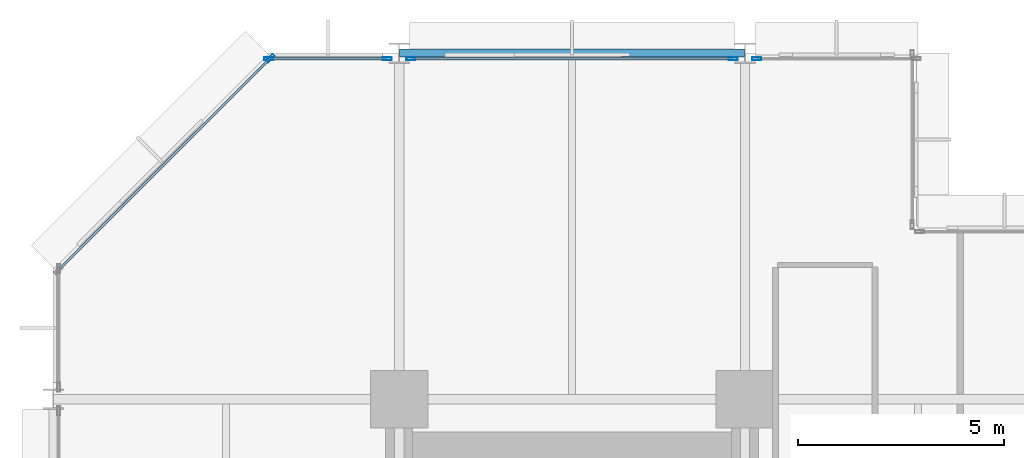
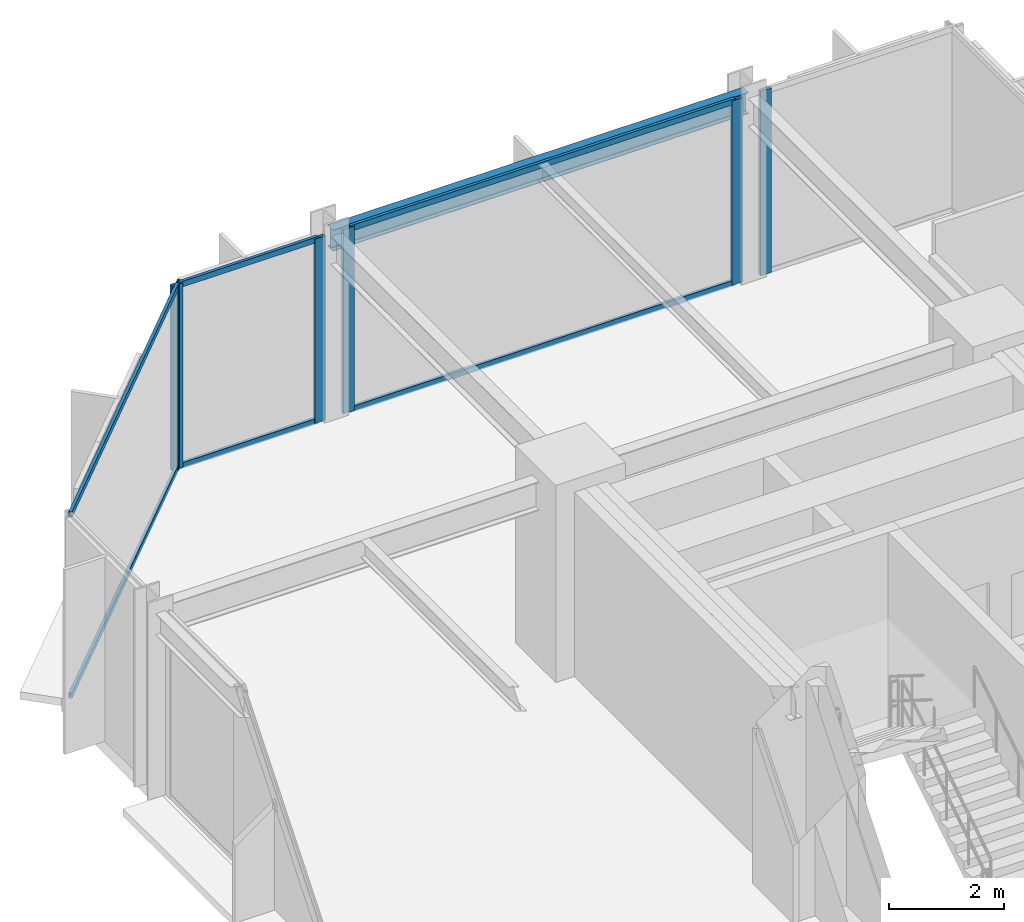
# One storey, part 19 of 30: 12 members, 1 beam, 4 elements without a shape of their own.
"""IFC4 building model written with IfcOpenShell, lengths in metres."""

import ifcopenshell
import ifcopenshell.guid

model = None  # the IFC model being written
_history = None  # IfcOwnerHistory: only IFC2X3 demands one
_inside = {}  # id of a spatial element -> (the spatial element, [elements in it])
_under = {}  # id of a project, library or spatial element -> (it, [spatial elements below it])
_declared = {}  # id of a project -> (the project, [libraries it declares])
_typed = {}  # id of a type object -> (the type object, [elements of that type])
_made_of = {}  # id of a material, layer set ... -> (it, [elements and type objects made of it])


def new_model(schema):
    """Start an empty IFC model of exactly this schema.

    Asked for "IFC4X3", IfcOpenShell would pick the latest addendum, in which some entities
    have other attributes; the version numbers below select the first issue.
    IFC2X3 requires an IfcOwnerHistory on every rooted entity: one is made here for all.
    """
    global model, _history
    if schema == "IFC4X3":
        model = ifcopenshell.file(schema_version=(4, 3, 0, 0))
    else:
        model = ifcopenshell.file(schema=schema)
    _inside.clear()
    _under.clear()
    _declared.clear()
    _typed.clear()
    _made_of.clear()
    _history = None
    if model.schema == "IFC2X3":
        org = make("IfcOrganization", Name="unknown")
        user = make(
            "IfcPersonAndOrganization",
            ThePerson=make("IfcPerson", FamilyName="unknown"),
            TheOrganization=org,
        )
        app = make(
            "IfcApplication",
            ApplicationDeveloper=org,
            Version="unknown",
            ApplicationFullName="unknown",
            ApplicationIdentifier="unknown",
        )
        _history = make(
            "IfcOwnerHistory",
            OwningUser=user,
            OwningApplication=app,
            ChangeAction="ADDED",
            CreationDate=0,
        )
    return model


def make(cls, **values):
    """One entity of the class cls with the attributes given. An attribute that is None is left unset."""
    return model.create_entity(
        cls, **{name: value for name, value in values.items() if value is not None}
    )


def rooted(cls, **values):
    """An entity with a GlobalId (a new one), such as an element, a storey or a relation."""
    return make(cls, GlobalId=ifcopenshell.guid.new(), OwnerHistory=_history, **values)


def si_unit(unit_type, name, prefix=None):
    """IfcSIUnit, for example si_unit("LENGTHUNIT", "METRE", prefix="MILLI")."""
    return make("IfcSIUnit", UnitType=unit_type, Prefix=prefix, Name=name)


def assignment(units):
    """IfcUnitAssignment: the units of a project."""
    return None if units is None else make("IfcUnitAssignment", Units=units)


def point(xyz):
    """IfcCartesianPoint."""
    return None if xyz is None else make("IfcCartesianPoint", Coordinates=xyz)


def direction(xyz):
    """IfcDirection."""
    return None if xyz is None else make("IfcDirection", DirectionRatios=xyz)


def frame(location, z_axis=None, x_axis=None):
    """IfcAxis2Placement3D, a coordinate frame: its origin and axes. An axis left out is left unset."""
    return make(
        "IfcAxis2Placement3D",
        Location=point(location),
        Axis=direction(z_axis),
        RefDirection=direction(x_axis),
    )


def frame_2d(location, x_axis=None):
    """IfcAxis2Placement2D, a coordinate frame in the plane: its origin and x axis."""
    return make(
        "IfcAxis2Placement2D", Location=point(location), RefDirection=direction(x_axis)
    )


def origin():
    """The frame at (0, 0, 0) with its axes left unset."""
    return frame((0.0, 0.0, 0.0))


def origin_2d():
    """The frame at (0, 0) in the plane with its x axis left unset."""
    return frame_2d((0.0, 0.0))


def place(relative_to, where):
    """IfcLocalPlacement: puts the frame where relative to a parent placement (None: the world)."""
    return make(
        "IfcLocalPlacement", PlacementRelTo=relative_to, RelativePlacement=where
    )


def context(
    kind, dimensions, precision=None, world=None, true_north=None, identifier=None
):
    """IfcGeometricRepresentationContext, for example the 3D "Model" context."""
    return make(
        "IfcGeometricRepresentationContext",
        ContextIdentifier=identifier,
        ContextType=kind,
        CoordinateSpaceDimension=dimensions,
        Precision=precision,
        WorldCoordinateSystem=world,
        TrueNorth=true_north,
    )


def subcontext(parent, identifier, kind, view, scale=None):
    """IfcGeometricRepresentationSubContext, for example "Body" below "Model"."""
    return make(
        "IfcGeometricRepresentationSubContext",
        ContextIdentifier=identifier,
        ContextType=kind,
        ParentContext=parent,
        TargetScale=scale,
        TargetView=view,
    )


def project(units=None, contexts=None):
    """IfcProject with its units and contexts."""
    return rooted(
        "IfcProject",
        Name="project",
        RepresentationContexts=contexts,
        UnitsInContext=assignment(units),
    )


def spatial(cls, under=None, at=None, **own):
    """A site, building, storey or space (cls), placed at a placement, below another one or the project."""
    s = rooted(cls, ObjectPlacement=at, **own)
    if under is not None:
        _under.setdefault(under.id(), (under, []))[1].append(s)
    return s


def profile(cls, at=None, kind="AREA", **sizes):
    """A parametric profile (cls). Its sizes go by their IFC names, for example OverallWidth=200.0."""
    return make(cls, ProfileType=kind, Position=at, **sizes)


def hollow_rectangle(**sizes):
    """IfcRectangleHollowProfileDef."""
    return profile("IfcRectangleHollowProfileDef", **sizes)


def i_section(**sizes):
    """IfcIShapeProfileDef."""
    return profile("IfcIShapeProfileDef", **sizes)


def extrude(swept, where, along, depth):
    """IfcExtrudedAreaSolid: the profile swept, set in the frame where, extruded along a direction by depth."""
    return make(
        "IfcExtrudedAreaSolid",
        SweptArea=swept,
        Position=where,
        ExtrudedDirection=direction(along),
        Depth=depth,
    )


def shape(context_of_items, identifier, shape_type, items):
    """IfcShapeRepresentation: the items that make up one representation, for example the "Body"."""
    return make(
        "IfcShapeRepresentation",
        ContextOfItems=context_of_items,
        RepresentationIdentifier=identifier,
        RepresentationType=shape_type,
        Items=items,
    )


def material(Name=None, Category=None):
    """IfcMaterial."""
    return make("IfcMaterial", Name=Name, Category=Category)


def layer(
    of_material, thickness, ventilated=None, Name=None, Category=None, Priority=None
):
    """IfcMaterialLayer: one layer of a wall or slab, of a material (None: an air gap)."""
    return make(
        "IfcMaterialLayer",
        Material=of_material,
        LayerThickness=thickness,
        IsVentilated=ventilated,
        Name=Name,
        Category=Category,
        Priority=Priority,
    )


def layer_set(layers, Name=None):
    """IfcMaterialLayerSet."""
    return make("IfcMaterialLayerSet", MaterialLayers=layers, LayerSetName=Name)


def material_profile(
    of_material, cross_section, Name=None, Category=None, Priority=None
):
    """IfcMaterialProfile: a cross section and its material."""
    return make(
        "IfcMaterialProfile",
        Name=Name,
        Material=of_material,
        Profile=cross_section,
        Priority=Priority,
        Category=Category,
    )


def profile_set(profiles, Name=None, composite=None):
    """IfcMaterialProfileSet."""
    return make(
        "IfcMaterialProfileSet",
        Name=Name,
        MaterialProfiles=profiles,
        CompositeProfile=composite,
    )


def made_of(thing, what):
    """Note that an element or type object is made of a material, layer set ...; save() writes the relation."""
    if what is not None:
        _made_of.setdefault(what.id(), (what, []))[1].append(thing)
    return thing


def type_object(cls, material=None, **own):
    """A type object (cls), such as IfcWallType, which elements share."""
    return made_of(rooted(cls, **own), material)


def element(
    cls,
    number,
    at=None,
    inside=None,
    cuts=None,
    type_object=None,
    material=None,
    context=None,
    identifier="Body",
    shape_type=None,
    held_by="IfcProductDefinitionShape",
    body=None,
    shapes=None,
    **own,
):
    """One element of the class cls, such as IfcWall. Its Tag is "e" and its number.

    at: its placement. inside: the storey or other place that contains it. cuts: it is an
    opening in that element (IfcRelVoidsElement). A single representation is given by context,
    identifier, shape_type and body (its items); several are given by shapes. held_by: the class
    of the entity that holds the representations. save() writes the other relations.
    """
    e = rooted(cls, Tag="e%d" % number, ObjectPlacement=at, **own)
    if body is not None:
        shapes = [shape(context, identifier, shape_type, body)]
    if shapes is not None:
        e.Representation = make(held_by, Representations=shapes)
    if inside is not None:
        _inside.setdefault(inside.id(), (inside, []))[1].append(e)
    if cuts is not None:
        rooted(
            "IfcRelVoidsElement", RelatingBuildingElement=cuts, RelatedOpeningElement=e
        )
    if type_object is not None:
        _typed.setdefault(type_object.id(), (type_object, []))[1].append(e)
    return made_of(e, material)


def aggregate(whole, parts):
    """IfcRelAggregates: a whole, such as a stair, and the parts it consists of."""
    return rooted("IfcRelAggregates", RelatingObject=whole, RelatedObjects=parts)


def save(model, path):
    """Write the relations noted so far, then the file.

    IfcRelAggregates (storeys below a building ...), IfcRelContainedInSpatialStructure (elements
    in a storey), IfcRelDefinesByType, IfcRelAssociatesMaterial and IfcRelDeclares: one each for
    every whole, place, type object, material and project.
    """
    for whole, parts in _under.values():
        aggregate(whole, parts)
    for where, things in _inside.values():
        rooted(
            "IfcRelContainedInSpatialStructure",
            RelatedElements=things,
            RelatingStructure=where,
        )
    for kind, things in _typed.values():
        rooted("IfcRelDefinesByType", RelatedObjects=things, RelatingType=kind)
    for what, things in _made_of.values():
        rooted("IfcRelAssociatesMaterial", RelatedObjects=things, RelatingMaterial=what)
    for by, libraries in _declared.values():
        rooted("IfcRelDeclares", RelatingContext=by, RelatedDefinitions=libraries)
    model.write(path)


model = new_model("IFC4")

# Units and contexts
model_context = context("Model", 3, precision=1e-05, world=origin(), true_north=direction((0.0, 1.0)))
body_context = subcontext(model_context, "Body", "Model", "MODEL_VIEW")
ifc_project = project(units=[si_unit("LENGTHUNIT", "METRE"), si_unit("AREAUNIT", "SQUARE_METRE"), si_unit("VOLUMEUNIT", "CUBIC_METRE"), si_unit("PLANEANGLEUNIT", "RADIAN"), si_unit("MASSUNIT", "GRAM", prefix="KILO")], contexts=[model_context])

# Site, building, storey
site_placement = place(None, origin())
site = spatial("IfcSite", under=ifc_project, at=site_placement, CompositionType="ELEMENT")
building_placement = place(site_placement, origin())
building = spatial("IfcBuilding", under=site, at=building_placement, Name="Nerrivon Quay Data Exchange", CompositionType="ELEMENT")
storey_placement = place(building_placement, frame((0.0, 0.0, 62.60009765625)))
storey = spatial("IfcBuildingStorey", under=building, at=storey_placement, Name="L14", CompositionType="ELEMENT", Elevation=62.60009765625)

# Beam
ifc_material_1 = material(Name="Steel Grade 350", Category="steel")
ifc_material_profile_1 = material_profile(ifc_material_1, i_section(OverallWidth=0.18994140625, OverallDepth=0.4541015625, WebThickness=0.008544921875, FlangeThickness=0.0126953125, FilletRadius=0.011474609375, at=origin_2d()), Name="460UB67.1")
ifc_profile_set_1 = profile_set([ifc_material_profile_1], Name="Steel Grade 350")
beam_type = type_object("IfcBeamType", Name="BM-SP1-460UB67", PredefinedType="SPANDREL", material=ifc_profile_set_1)
beam_placement = place(storey_placement, frame((8.4140625, 50.39990234375, 3.697998046875), z_axis=(1.0, 0.0, 0.0), x_axis=(0.0, 1.0, 0.0)))
element("IfcBeam", 1, at=beam_placement, inside=storey, type_object=beam_type, Name="L14 EW Girder Y=50.4 (8.4..16.8)", PredefinedType="SPANDREL", context=body_context, shape_type="SweptSolid", body=[
    extrude(i_section(OverallWidth=0.18994140625, OverallDepth=0.4541015625, WebThickness=0.008544921875, FlangeThickness=0.0126953125, FilletRadius=0.011474609375, at=origin_2d()), origin(), (0.0, 0.0, 1.0), 8.371826171875),
])

# Curtain wall, member
ifc_material_2 = material(Name="Anodised aluminium 6063-T6", Category="aluminium")
ifc_layer = layer(ifc_material_2, 0.219970703125)
ifc_layer_set = layer_set([ifc_layer], Name="Anodised aluminium 6063-T6")
curtain_wall_type = type_object("IfcCurtainWallType", Name="CW-SYS-01", PredefinedType="NOTDEFINED", material=ifc_layer_set)
curtain_wall_1_placement = place(storey_placement, origin())
curtain_wall_1 = element("IfcCurtainWall", 2, at=curtain_wall_1_placement, inside=storey, type_object=curtain_wall_type, Name="L14 Unitised Curtain Wall 23", PredefinedType="NOTDEFINED")
ifc_material_profile_2 = material_profile(ifc_material_2, hollow_rectangle(XDim=0.074951171875, YDim=0.219970703125, WallThickness=0.00390625, at=origin_2d()), Name="ALU-MULL-220x75")
ifc_profile_set_2 = profile_set([ifc_material_profile_2], Name="Anodised aluminium 6063-T6")
member_type_1 = type_object("IfcMemberType", Name="CWM-220x75", PredefinedType="MULLION", material=ifc_profile_set_2)
member_1_placement = place(storey_placement, frame((5.2724609375, 50.2744140625, 0.0), z_axis=(0.0, 0.0, 1.0), x_axis=(-0.707106781187, 0.707106781187, 0.0)))
member_1 = element("IfcMember", 3, at=member_1_placement, type_object=member_type_1, Name="CW01 mullion 2", PredefinedType="MULLION", context=body_context, shape_type="SweptSolid", body=[
    extrude(hollow_rectangle(XDim=0.074951171875, YDim=0.219970703125, WallThickness=0.00390625, at=origin_2d()), origin(), (0.0, 0.0, 1.0), 3.9248046875),
])

# Curtain wall, members
curtain_wall_2_placement = place(storey_placement, origin())
curtain_wall_2 = element("IfcCurtainWall", 4, at=curtain_wall_2_placement, inside=storey, type_object=curtain_wall_type, Name="L14 Unitised Curtain Wall 24", PredefinedType="NOTDEFINED")
member_2_placement = place(storey_placement, frame((5.237548828125, 50.260009765625, 0.0), z_axis=(0.0, 0.0, 1.0), x_axis=(0.0, 1.0, 0.0)))
member_2 = element("IfcMember", 5, at=member_2_placement, type_object=member_type_1, Name="CW01 mullion 1", PredefinedType="MULLION", context=body_context, shape_type="SweptSolid", body=[
    extrude(hollow_rectangle(XDim=0.074951171875, YDim=0.219970703125, WallThickness=0.00390625, at=origin_2d()), origin(), (0.0, 0.0, 1.0), 3.9248046875),
])
member_3_placement = place(storey_placement, frame((8.112548828125, 50.260009765625, 0.0), z_axis=(0.0, 0.0, 1.0), x_axis=(0.0, 1.0, 0.0)))
member_3 = element("IfcMember", 6, at=member_3_placement, type_object=member_type_1, Name="CW01 mullion 2", PredefinedType="MULLION", context=body_context, shape_type="SweptSolid", body=[
    extrude(hollow_rectangle(XDim=0.074951171875, YDim=0.219970703125, WallThickness=0.00390625, at=origin_2d()), origin(), (0.0, 0.0, 1.0), 3.9248046875),
])

curtain_wall_3_placement = place(storey_placement, origin())
curtain_wall_3 = element("IfcCurtainWall", 7, at=curtain_wall_3_placement, inside=storey, type_object=curtain_wall_type, Name="L14 Unitised Curtain Wall 25", PredefinedType="NOTDEFINED")
member_4_placement = place(storey_placement, frame((8.6875, 50.260009765625, 0.0), z_axis=(0.0, 0.0, 1.0), x_axis=(0.0, 1.0, 0.0)))
member_4 = element("IfcMember", 8, at=member_4_placement, type_object=member_type_1, Name="CW01 mullion 1", PredefinedType="MULLION", context=body_context, shape_type="SweptSolid", body=[
    extrude(hollow_rectangle(XDim=0.074951171875, YDim=0.219970703125, WallThickness=0.00390625, at=origin_2d()), origin(), (0.0, 0.0, 1.0), 3.9248046875),
])
member_5_placement = place(storey_placement, frame((16.512451171875, 50.260009765625, 0.0), z_axis=(0.0, 0.0, 1.0), x_axis=(0.0, 1.0, 0.0)))
member_5 = element("IfcMember", 9, at=member_5_placement, type_object=member_type_1, Name="CW01 mullion 2", PredefinedType="MULLION", context=body_context, shape_type="SweptSolid", body=[
    extrude(hollow_rectangle(XDim=0.074951171875, YDim=0.219970703125, WallThickness=0.00390625, at=origin_2d()), origin(), (0.0, 0.0, 1.0), 3.9248046875),
])

# Curtain wall, member
curtain_wall_4_placement = place(storey_placement, origin())
curtain_wall_4 = element("IfcCurtainWall", 10, at=curtain_wall_4_placement, inside=storey, type_object=curtain_wall_type, Name="L14 Unitised Curtain Wall 26", PredefinedType="NOTDEFINED")
member_6_placement = place(storey_placement, frame((17.08740234375, 50.260009765625, 0.0), z_axis=(0.0, 0.0, 1.0), x_axis=(0.0, 1.0, 0.0)))
member_6 = element("IfcMember", 11, at=member_6_placement, type_object=member_type_1, Name="CW01 mullion 1", PredefinedType="MULLION", context=body_context, shape_type="SweptSolid", body=[
    extrude(hollow_rectangle(XDim=0.074951171875, YDim=0.219970703125, WallThickness=0.00390625, at=origin_2d()), origin(), (0.0, 0.0, 1.0), 3.9248046875),
])
aggregate(curtain_wall_4, [member_6])

# Member
ifc_material_profile_3 = material_profile(ifc_material_2, hollow_rectangle(XDim=0.06005859375, YDim=0.1201171875, WallThickness=0.003173828125, at=origin_2d()), Name="ALU-TRAN-120x60")
ifc_profile_set_3 = profile_set([ifc_material_profile_3], Name="Anodised aluminium 6063-T6")
member_type_2 = type_object("IfcMemberType", Name="CWT-120x60", PredefinedType="USERDEFINED", material=ifc_profile_set_3)
member_7_placement = place(storey_placement, frame((0.152099609375, 45.154052734375, 0.032470703125), z_axis=(0.707089835771, 0.707123726196, 0.0), x_axis=(-0.707123726196, 0.707089835771, 0.0)))
member_7 = element("IfcMember", 12, at=member_7_placement, type_object=member_type_2, Name="CW01 transom 1.1", ObjectType="TRANSOM", PredefinedType="USERDEFINED", context=body_context, shape_type="SweptSolid", body=[
    extrude(hollow_rectangle(XDim=0.06005859375, YDim=0.1201171875, WallThickness=0.003173828125, at=origin_2d()), origin(), (0.0, 0.0, 1.0), 7.203857421875),
])

member_8_placement = place(storey_placement, frame((0.152099609375, 45.154052734375, 3.892333984375), z_axis=(0.707089835771, 0.707123726196, 0.0), x_axis=(-0.707123726196, 0.707089835771, 0.0)))
member_8 = element("IfcMember", 13, at=member_8_placement, type_object=member_type_2, Name="CW01 transom 1.2", ObjectType="TRANSOM", PredefinedType="USERDEFINED", context=body_context, shape_type="SweptSolid", body=[
    extrude(hollow_rectangle(XDim=0.06005859375, YDim=0.1201171875, WallThickness=0.003173828125, at=origin_2d()), origin(), (0.0, 0.0, 1.0), 7.203857421875),
])

aggregate(curtain_wall_1, [member_1, member_7, member_8])

member_9_placement = place(storey_placement, frame((5.27490234375, 50.260009765625, 0.032470703125), z_axis=(1.0, 0.0, 0.0), x_axis=(0.0, 1.0, 0.0)))
member_9 = element("IfcMember", 14, at=member_9_placement, type_object=member_type_2, Name="CW01 transom 1.1", ObjectType="TRANSOM", PredefinedType="USERDEFINED", context=body_context, shape_type="SweptSolid", body=[
    extrude(hollow_rectangle(XDim=0.06005859375, YDim=0.1201171875, WallThickness=0.003173828125, at=origin_2d()), origin(), (0.0, 0.0, 1.0), 2.800048828125),
])

member_10_placement = place(storey_placement, frame((5.27490234375, 50.260009765625, 3.892333984375), z_axis=(1.0, 0.0, 0.0), x_axis=(0.0, 1.0, 0.0)))
member_10 = element("IfcMember", 15, at=member_10_placement, type_object=member_type_2, Name="CW01 transom 1.2", ObjectType="TRANSOM", PredefinedType="USERDEFINED", context=body_context, shape_type="SweptSolid", body=[
    extrude(hollow_rectangle(XDim=0.06005859375, YDim=0.1201171875, WallThickness=0.003173828125, at=origin_2d()), origin(), (0.0, 0.0, 1.0), 2.800048828125),
])

aggregate(curtain_wall_2, [member_2, member_3, member_9, member_10])

member_11_placement = place(storey_placement, frame((8.72509765625, 50.260009765625, 0.032470703125), z_axis=(1.0, 0.0, 0.0), x_axis=(0.0, 1.0, 0.0)))
member_11 = element("IfcMember", 16, at=member_11_placement, type_object=member_type_2, Name="CW01 transom 1.1", ObjectType="TRANSOM", PredefinedType="USERDEFINED", context=body_context, shape_type="SweptSolid", body=[
    extrude(hollow_rectangle(XDim=0.06005859375, YDim=0.1201171875, WallThickness=0.003173828125, at=origin_2d()), origin(), (0.0, 0.0, 1.0), 7.75),
])

member_12_placement = place(storey_placement, frame((8.72509765625, 50.260009765625, 3.892333984375), z_axis=(1.0, 0.0, 0.0), x_axis=(0.0, 1.0, 0.0)))
member_12 = element("IfcMember", 17, at=member_12_placement, type_object=member_type_2, Name="CW01 transom 1.2", ObjectType="TRANSOM", PredefinedType="USERDEFINED", context=body_context, shape_type="SweptSolid", body=[
    extrude(hollow_rectangle(XDim=0.06005859375, YDim=0.1201171875, WallThickness=0.003173828125, at=origin_2d()), origin(), (0.0, 0.0, 1.0), 7.75),
])

aggregate(curtain_wall_3, [member_4, member_5, member_11, member_12])

save(model, "model.ifc")
